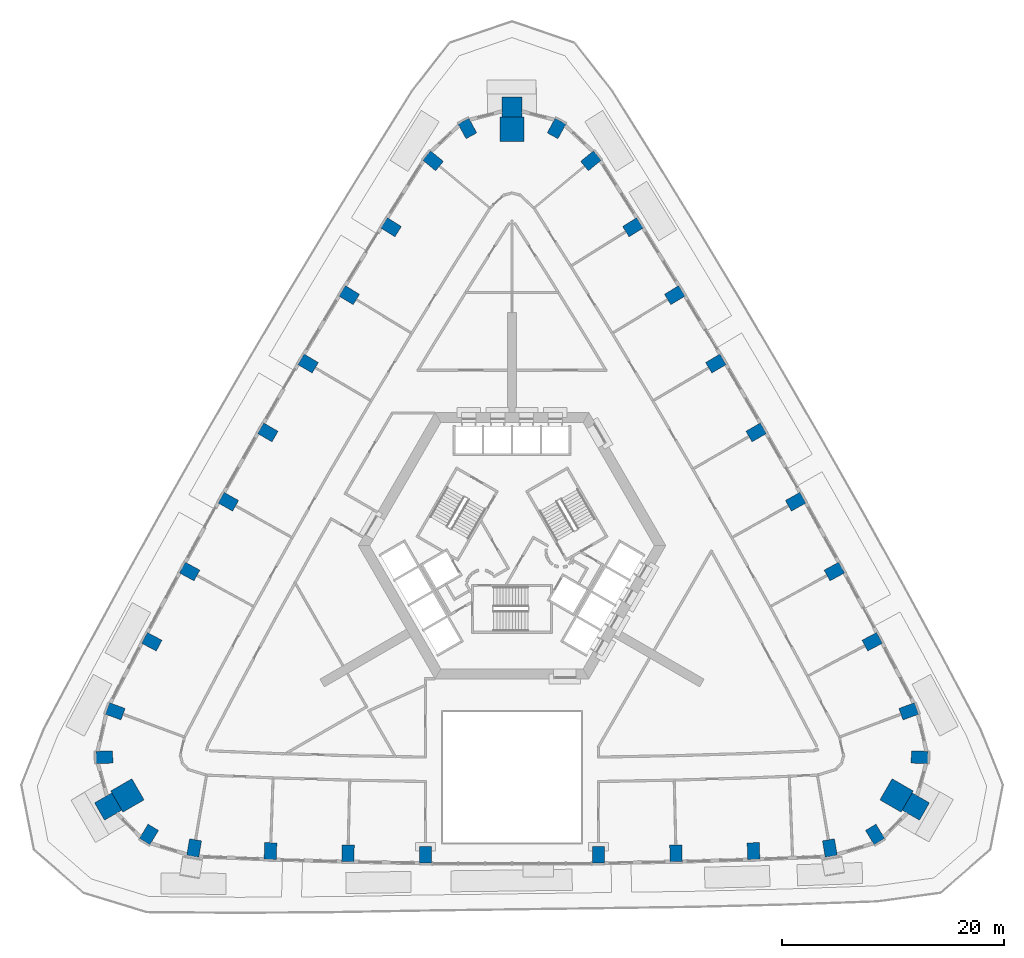
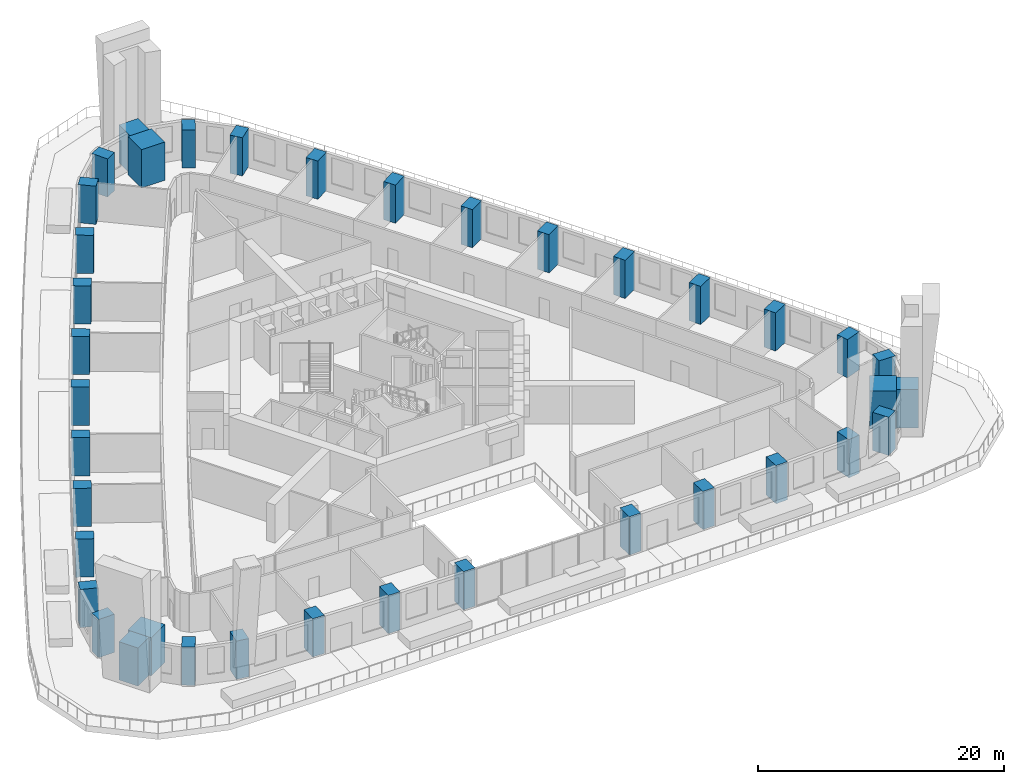
# One storey, part 1 of 16: 38 columns.
"""IFC4 building model written with IfcOpenShell, lengths in metres."""

from ifc_helpers import new_model, si_unit, direction, frame, origin, origin_2d, place, context, subcontext, project, spatial, rectangle, extrude, material, material_profile, profile_set, type_object, element, save


model = new_model("IFC4")

# Units and contexts
model_context = context("Model", 3, precision=1e-05, world=origin(), true_north=direction((0.0, 1.0)))
body_context = subcontext(model_context, "Body", "Model", "MODEL_VIEW")
ifc_project = project(units=[si_unit("LENGTHUNIT", "METRE"), si_unit("AREAUNIT", "SQUARE_METRE"), si_unit("VOLUMEUNIT", "CUBIC_METRE"), si_unit("PLANEANGLEUNIT", "RADIAN"), si_unit("MASSUNIT", "GRAM", prefix="KILO")], contexts=[model_context])

# Site, building, storey
site_placement = place(None, origin())
site = spatial("IfcSite", under=ifc_project, at=site_placement, CompositionType="ELEMENT")
building_placement = place(site_placement, origin())
building = spatial("IfcBuilding", under=site, at=building_placement, Name="Entoto Arch Interchange Tower", CompositionType="ELEMENT")
storey_placement = place(building_placement, frame((0.0, 0.0, 86.60009765625)))
storey = spatial("IfcBuildingStorey", under=building, at=storey_placement, Name="L18", CompositionType="ELEMENT", Elevation=86.60009765625)

# Columns
ifc_material_1 = material(Name="Concrete C60/75", Category="concrete")
ifc_material_profile_1 = material_profile(ifc_material_1, rectangle(XDim=1.10009765625, YDim=1.5, at=origin_2d()))
ifc_profile_set_1 = profile_set([ifc_material_profile_1], Name="Concrete C60/75")
column_type_1 = type_object("IfcColumnType", Name="Column RC 1100x1500 C60/75", PredefinedType="COLUMN", material=ifc_profile_set_1)
for number, where, z_axis, x_axis, name in (
    (1, (-28.633056640625, -24.739990234375, 0.0), (0.0, 0.0, 1.0), (-0.985759288085, 0.168162498658, 0.0), "Column S01 L18"),
    (2, (-21.757080078125, -25.014892578125, 0.0), (0.0, 0.0, 1.0), (-0.999373652571, 0.035387887008, 0.0), "Column S02 L18"),
    (3, (-14.77294921875, -25.221923828125, 0.0), (0.0, 0.0, 1.0), (-0.999711216939, 0.024030870297, 0.0), "Column S03 L18"),
    (4, (-7.7919921875, -25.35107421875, 0.0), (0.0, 0.0, 1.0), (-0.999958020206, 0.009162850353, 0.0), "Column S04 L18"),
    (5, (7.7919921875, -25.35107421875, 0.0), (0.0, 0.0, 1.0), (0.999958020206, 0.009162850353, 0.0), "Column S05 L18"),
    (6, (14.77294921875, -25.221923828125, 0.0), (0.0, 0.0, 1.0), (0.999711216939, 0.024030870297, 0.0), "Column S06 L18"),
    (7, (21.757080078125, -25.014892578125, 0.0), (0.0, 0.0, 1.0), (0.999373652571, 0.035387887008, 0.0), "Column S07 L18"),
    (8, (28.633056640625, -24.739990234375, 0.0), (0.0, 0.0, 1.0), (0.985759288085, 0.168162498658, 0.0), "Column S08 L18"),
    (9, (32.702880859375, -23.51611328125, 0.0), (0.0, 0.0, 1.0), (0.854095929175, 0.520115510024, 0.0), "Column SE1 L18"),
    (10, (36.717041015625, -16.56396484375, 0.0), (0.0, 0.0, 1.0), (0.023385279996, 0.999726526946, 0.0), "Column SE3 L18"),
    (11, (35.740966796875, -12.427001953125, 0.0), (0.0, 0.0, 1.0), (-0.347312116358, 0.937749590152, 0.0), "Column NE01 L18"),
    (12, (32.448974609375, -6.159912109375, 0.0), (0.0, 0.0, 1.0), (-0.469332863911, 0.883021326386, 0.0), "Column NE02 L18"),
    (13, (29.0390625, 0.1669921875, 0.0), (0.0, 0.0, 1.0), (-0.479611016922, 0.87748120917, 0.0), "Column NE03 L18"),
    (14, (25.553955078125, 6.4541015625, 0.0), (0.0, 0.0, 1.0), (-0.489838999048, 0.87181291285, 0.0), "Column NE04 L18"),
    (15, (21.9970703125, 12.699951171875, 0.0), (0.0, 0.0, 1.0), (-0.5, 0.866025403784, 0.0), "Column NE05 L18"),
    (16, (18.366943359375, 18.904052734375, 0.0), (0.0, 0.0, 1.0), (-0.510092630351, 0.860119473365, 0.0), "Column NE06 L18"),
    (17, (14.6640625, 25.06494140625, 0.0), (0.0, 0.0, 1.0), (-0.520115510024, 0.854095929175, 0.0), "Column NE07 L18"),
    (18, (10.889892578125, 31.181884765625, 0.0), (0.0, 0.0, 1.0), (-0.530067268476, 0.847955594881, 0.0), "Column NE08 L18"),
    (19, (7.10888671875, 37.166015625, 0.0), (0.0, 0.0, 1.0), (-0.638458909281, 0.769655910885, 0.0), "Column NE09 L18"),
    (20, (4.013916015625, 40.0791015625, 0.0), (0.0, 0.0, 1.0), (-0.87748120917, 0.479611016922, 0.0), "Column N1 L18"),
    (21, (-4.013916015625, 40.0791015625, 0.0), (0.0, 0.0, 1.0), (0.87748120917, 0.479611016922, 0.0), "Column N3 L18"),
    (22, (-7.10888671875, 37.166015625, 0.0), (0.0, 0.0, 1.0), (0.638458909281, 0.769655910885, 0.0), "Column NW01 L18"),
    (23, (-10.889892578125, 31.181884765625, 0.0), (0.0, 0.0, 1.0), (0.530067268476, 0.847955594881, 0.0), "Column NW02 L18"),
    (24, (-14.6640625, 25.06494140625, 0.0), (0.0, 0.0, 1.0), (0.520115510024, 0.854095929175, 0.0), "Column NW03 L18"),
    (25, (-18.366943359375, 18.904052734375, 0.0), (0.0, 0.0, 1.0), (0.510092630351, 0.860119473365, 0.0), "Column NW04 L18"),
    (26, (-21.9970703125, 12.699951171875, 0.0), (0.0, 0.0, 1.0), (0.5, 0.866025403784, 0.0), "Column NW05 L18"),
    (27, (-25.553955078125, 6.4541015625, 0.0), (0.0, 0.0, 1.0), (0.489838999048, 0.87181291285, 0.0), "Column NW06 L18"),
    (28, (-29.0390625, 0.1669921875, 0.0), (0.0, 0.0, 1.0), (0.479611016922, 0.87748120917, 0.0), "Column NW07 L18"),
    (29, (-32.448974609375, -6.159912109375, 0.0), (0.0, 0.0, 1.0), (0.469332863911, 0.883021326386, 0.0), "Column NW08 L18"),
    (30, (-35.740966796875, -12.427001953125, 0.0), (0.0, 0.0, 1.0), (0.347312116358, 0.937749590152, 0.0), "Column NW09 L18"),
    (31, (-36.717041015625, -16.56396484375, 0.0), (0.0, 0.0, 1.0), (-0.023385279996, 0.999726526946, 0.0), "Column SW1 L18"),
    (32, (-32.702880859375, -23.51611328125, 0.0), (0.0, 0.0, 1.0), (-0.854095929175, 0.520115510024, 0.0), "Column SW3 L18"),
):
    element("IfcColumn", number, at=place(storey_placement, frame(where, z_axis=z_axis, x_axis=x_axis)), inside=storey, type_object=column_type_1, Name=name, PredefinedType="COLUMN", context=body_context, shape_type="SweptSolid", body=[
        extrude(rectangle(XDim=1.10009765625, YDim=1.5, at=origin_2d()), origin(), (0.0, 0.0, 1.0), 3.7998046875),
    ])
ifc_material_2 = material(Name="Precast concrete C40/50", Category="concrete")
ifc_material_profile_2 = material_profile(ifc_material_2, rectangle(XDim=1.800048828125, YDim=1.800048828125, at=origin_2d()))
ifc_profile_set_2 = profile_set([ifc_material_profile_2], Name="Precast concrete C40/50")
column_type_2 = type_object("IfcColumnType", Name="Frame post RC 1800x1800 precast C40/50", PredefinedType="COLUMN", material=ifc_profile_set_2)
for number, where, z_axis, x_axis, name in (
    (33, (36.376953125, -21.0029296875, 0.0), (0.0, 0.0, 1.0), (-0.866025403784, 0.5, 0.0), "Frame post SE L18"),
    (34, (0.0, 42.0048828125, 0.0), (0.0, 0.0, 1.0), (0.0, 1.0, 0.0), "Frame post N L18"),
    (35, (-36.376953125, -21.0029296875, 0.0), (0.0, 0.0, 1.0), (0.866025403784, 0.5, 0.0), "Frame post SW L18"),
):
    element("IfcColumn", number, at=place(storey_placement, frame(where, z_axis=z_axis, x_axis=x_axis)), inside=storey, type_object=column_type_2, Name=name, PredefinedType="COLUMN", context=body_context, shape_type="SweptSolid", body=[
        extrude(rectangle(XDim=1.800048828125, YDim=1.800048828125, at=origin_2d()), origin(), (0.0, 0.0, 1.0), 3.7998046875),
    ])
ifc_material_profile_3 = material_profile(ifc_material_1, rectangle(XDim=2.199951171875, YDim=2.199951171875, at=origin_2d()))
ifc_profile_set_3 = profile_set([ifc_material_profile_3], Name="Concrete C60/75")
column_type_3 = type_object("IfcColumnType", Name="Mega column RC 2200x2200 C60/75", PredefinedType="COLUMN", material=ifc_profile_set_3)
for number, where, z_axis, x_axis, name in (
    (36, (34.64501953125, -20.0029296875, 0.0), (0.0, 0.0, 1.0), (-0.866025403784, 0.5, 0.0), "Corner mega column SE2 L18"),
    (37, (0.0, 40.0048828125, 0.0), (0.0, 0.0, 1.0), (0.0, 1.0, 0.0), "Corner mega column N2 L18"),
    (38, (-34.64501953125, -20.0029296875, 0.0), (0.0, 0.0, 1.0), (0.866025403784, 0.5, 0.0), "Corner mega column SW2 L18"),
):
    element("IfcColumn", number, at=place(storey_placement, frame(where, z_axis=z_axis, x_axis=x_axis)), inside=storey, type_object=column_type_3, Name=name, PredefinedType="COLUMN", context=body_context, shape_type="SweptSolid", body=[
        extrude(rectangle(XDim=2.199951171875, YDim=2.199951171875, at=origin_2d()), origin(), (0.0, 0.0, 1.0), 3.7998046875),
    ])

save(model, "model.ifc")
